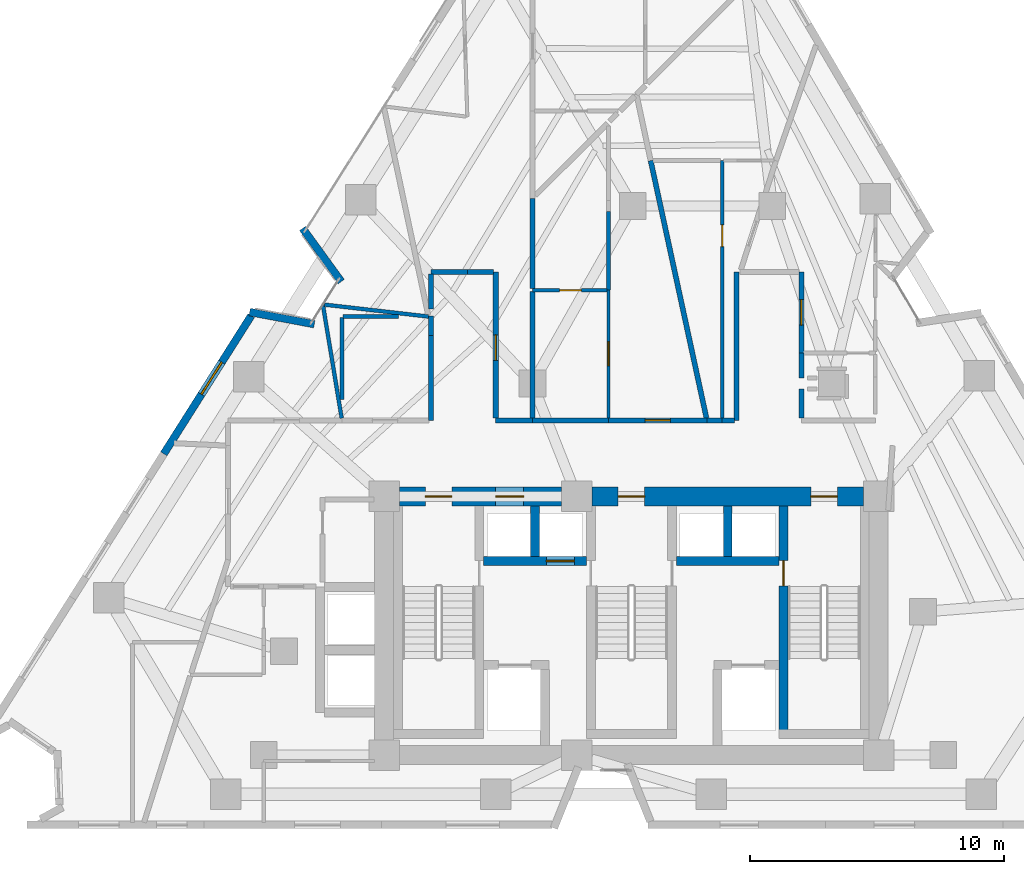
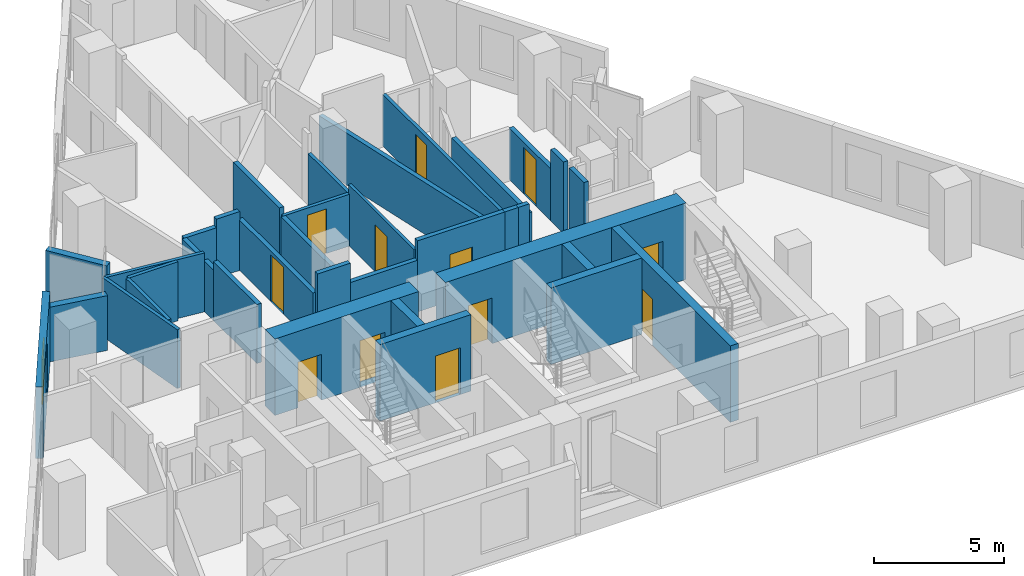
# One storey, part 7 of 12: 36 walls, 12 doors, 1 window, 13 openings.
"""IFC4 building model written with IfcOpenShell, lengths in metres."""

from ifc_helpers import new_model, si_unit, direction, frame, frame_2d, origin, place, context, subcontext, project, spatial, rectangle, extrude, material, layer, layer_set, type_object, element, fill, save


model = new_model("IFC4")

# Units and contexts
model_context = context("Model", 3, precision=1e-05, world=origin(), true_north=direction((0.0, 1.0)))
body_context = subcontext(model_context, "Body", "Model", "MODEL_VIEW")
ifc_project = project(units=[si_unit("LENGTHUNIT", "METRE"), si_unit("AREAUNIT", "SQUARE_METRE"), si_unit("VOLUMEUNIT", "CUBIC_METRE"), si_unit("PLANEANGLEUNIT", "RADIAN"), si_unit("MASSUNIT", "GRAM", prefix="KILO")], contexts=[model_context])

# Site, building, storey
site_placement = place(None, origin())
site = spatial("IfcSite", under=ifc_project, at=site_placement, CompositionType="ELEMENT")
building_placement = place(site_placement, origin())
building = spatial("IfcBuilding", under=site, at=building_placement, Name="Almagre Mirador Tower", CompositionType="ELEMENT")
storey_placement = place(building_placement, frame((0.0, 0.0, 117.60009765625)))
storey = spatial("IfcBuildingStorey", under=building, at=storey_placement, Name="L29", CompositionType="ELEMENT", Elevation=117.60009765625)

# Walls
ifc_material_1 = material(Name="Precast concrete C50/60", Category="concrete")
ifc_layer_1 = layer(ifc_material_1, 0.300048828125)
ifc_layer_set_1 = layer_set([ifc_layer_1], Name="Precast concrete C50/60")
wall_type_1 = type_object("IfcWallType", Name="WAL-EXT-300", PredefinedType="SOLIDWALL", material=ifc_layer_set_1)
for number, where, z_axis, x_axis, name in (
    (1, (22.246337890625, 22.02099609375, 0.0), (0.0, 0.0, 1.0), (0.982733402646, -0.185027185367, 0.0), "L29 expressed almagre precast frame wall 01"),
    (2, (25.8583984375, 23.2197265625, 0.0), (0.0, 0.0, 1.0), (-0.587763102288, 0.809033086832, 0.0), "L29 expressed almagre precast frame wall 02"),
):
    element("IfcWall", number, at=place(storey_placement, frame(where, z_axis=z_axis, x_axis=x_axis)), inside=storey, type_object=wall_type_1, Name=name, PredefinedType="SOLIDWALL", context=body_context, shape_type="SweptSolid", body=[
        extrude(rectangle(XDim=2.593994140625, YDim=0.300048828125, at=frame_2d((1.296875, 0.0))), origin(), (0.0, 0.0, 1.0), 2.574951171875),
    ])

# Wall, opening, window
wall_1_placement = place(storey_placement, frame((18.860595703125, 16.429443359375, 0.0), z_axis=(0.0, 0.0, 1.0), x_axis=(0.534891708764, 0.844920623429, 0.0)))
wall_1 = element("IfcWall", 3, at=wall_1_placement, inside=storey, type_object=wall_type_1, Name="L29 expressed almagre precast frame wall 35", PredefinedType="SOLIDWALL", context=body_context, shape_type="SweptSolid", body=[
    extrude(rectangle(XDim=6.447021484375, YDim=0.300048828125, at=frame_2d((3.2236328125, 0.0))), origin(), (0.0, 0.0, 1.0), 3.349853515625),
])
opening_1_placement = place(wall_1_placement, frame((2.77490234375, 0.0, 0.60009765625)))
opening_1 = element("IfcOpeningElement", 4, at=opening_1_placement, cuts=wall_1, Name="Opening WN-03", PredefinedType="OPENING", context=body_context, shape_type="SweptSolid", body=[
    extrude(rectangle(XDim=1.5, YDim=2.10009765625, at=frame_2d((0.75, 1.050048828125))), frame((0.0, 0.159902, 0.0), z_axis=(0.0, -1.0, 0.0), x_axis=(1.0, 0.0, 0.0)), (0.0, 0.0, 1.0), 0.320049),
])
ifc_material_2 = material(Name="Dark solar-control laminated hurricane glass", Category="glass")
window_type = type_object("IfcWindowType", Name="WIN-1500X2100", PartitioningType="DOUBLE_PANEL_VERTICAL", PredefinedType="WINDOW", material=ifc_material_2)
window_placement = place(opening_1_placement, origin())
window = element("IfcWindow", 5, at=window_placement, inside=storey, type_object=window_type, Name="L29 recessed hurricane window L29-UF-ST", OverallHeight=2.10009765625, OverallWidth=1.5, PartitioningType="SINGLE_PANEL", PredefinedType="WINDOW", context=body_context, shape_type="SweptSolid", body=[
    extrude(rectangle(XDim=1.5, YDim=2.10009765625, at=frame_2d((0.75, 1.050048828125))), frame((0.0, 0.030029296875, 0.0), z_axis=(0.0, -1.0, 0.0), x_axis=(1.0, 0.0, 0.0)), (0.0, 0.0, 1.0), 0.06005859375),
])
fill(opening_1, window)

# Wall, opening, door
ifc_material_3 = material(Name="Gypsum acoustic stud partition", Category="other")
ifc_layer_2 = layer(ifc_material_3, 0.125)
ifc_layer_set_2 = layer_set([ifc_layer_2], Name="Gypsum acoustic stud partition")
wall_type_2 = type_object("IfcWallType", Name="WAL-PRT-125-UTL", PredefinedType="PARTITIONING", material=ifc_layer_set_2)
wall_2_placement = place(storey_placement, frame((36.39990234375, 22.8798828125, 0.0), z_axis=(0.0, 0.0, 1.0), x_axis=(0.0, -1.0, 0.0)))
wall_2 = element("IfcWall", 6, at=wall_2_placement, inside=storey, type_object=wall_type_2, Name="L29 interior partition 059", PredefinedType="PARTITIONING", context=body_context, shape_type="SweptSolid", body=[
    extrude(rectangle(XDim=5.044921875, YDim=0.125, at=frame_2d((2.5224609375, 0.0))), origin(), (0.0, 0.0, 1.0), 2.852783203125),
])
opening_2_placement = place(wall_2_placement, frame((2.031005859375, 0.0, 0.0)))
opening_2 = element("IfcOpeningElement", 7, at=opening_2_placement, cuts=wall_2, Name="Opening UD-01", PredefinedType="OPENING", context=body_context, shape_type="SweptSolid", body=[
    extrude(rectangle(XDim=0.949951171875, YDim=2.199951171875, at=frame_2d((0.47509765625, 1.10009765625))), frame((0.0, 0.0725, 0.0), z_axis=(0.0, -1.0, 0.0), x_axis=(1.0, 0.0, 0.0)), (0.0, 0.0, 1.0), 0.145),
])
ifc_material_4 = material(Name="Solid American walnut timber", Category="wood")
door_type_1 = type_object("IfcDoorType", Name="DOR-UNR-950X2200", OperationType="NOTDEFINED", PredefinedType="DOOR", material=ifc_material_4)
door_1_placement = place(opening_2_placement, origin())
door_1 = element("IfcDoor", 8, at=door_1_placement, inside=storey, type_object=door_type_1, Name="DR-0955 L29 interior door L29-UG-ST to L29-UG-KT", OperationType="SINGLE_SWING_LEFT", OverallHeight=2.199951171875, OverallWidth=0.949951171875, PredefinedType="DOOR", context=body_context, shape_type="SweptSolid", body=[
    extrude(rectangle(XDim=0.949951171875, YDim=2.199951171875, at=frame_2d((0.47509765625, 1.10009765625))), frame((0.0, 0.02490234375, 0.0), z_axis=(0.0, -1.0, 0.0), x_axis=(1.0, 0.0, 0.0)), (0.0, 0.0, 1.0), 0.050048828125),
])
fill(opening_2, door_1)

# Walls
ifc_material_5 = material(Name="Gypsum acoustic stud partition", Category="other")
ifc_layer_3 = layer(ifc_material_5, 0.14990234375)
ifc_layer_set_3 = layer_set([ifc_layer_3], Name="Gypsum acoustic stud partition")
wall_type_3 = type_object("IfcWallType", Name="WAL-PRT-150-STD", PredefinedType="PARTITIONING", material=ifc_layer_set_3)
wall_3_placement = place(storey_placement, frame((25.876220703125, 17.833984375, 0.0), z_axis=(0.0, 0.0, 1.0), x_axis=(-0.163258044995, 0.986583402832, 0.0)))
element("IfcWall", 9, at=wall_3_placement, inside=storey, type_object=wall_type_3, Name="L29 interior partition 054", PredefinedType="PARTITIONING", context=body_context, shape_type="SweptSolid", body=[
    extrude(rectangle(XDim=4.546142578125, YDim=0.14990234375, at=frame_2d((2.27294921875, 0.0))), origin(), (0.0, 0.0, 1.0), 2.77099609375),
])
wall_4_placement = place(storey_placement, frame((29.300048828125, 21.840087890625, 0.0), z_axis=(0.0, 0.0, 1.0), x_axis=(-0.993461085134, 0.114171241234, 0.0)))
element("IfcWall", 10, at=wall_4_placement, inside=storey, type_object=wall_type_3, Name="L29 interior partition 055", PredefinedType="PARTITIONING", context=body_context, shape_type="SweptSolid", body=[
    extrude(rectangle(XDim=4.133544921875, YDim=0.14990234375, at=frame_2d((2.06689453125, 0.0))), origin(), (0.0, 0.0, 1.0), 2.77099609375),
])
wall_5_placement = place(storey_placement, frame((36.39990234375, 25.97998046875, 0.0), z_axis=(0.0, 0.0, 1.0), x_axis=(0.0, -1.0, 0.0)))
element("IfcWall", 11, at=wall_5_placement, inside=storey, type_object=wall_type_3, Name="L29 interior partition 057", PredefinedType="PARTITIONING", context=body_context, shape_type="SweptSolid", body=[
    extrude(rectangle(XDim=3.10009765625, YDim=0.14990234375, at=frame_2d((1.550048828125, 0.0))), origin(), (0.0, 0.0, 1.0), 2.435791015625),
])

# Wall, opening, door
wall_6_placement = place(storey_placement, frame((33.39990234375, 22.8798828125, 0.0), z_axis=(0.0, 0.0, 1.0), x_axis=(1.0, 0.0, 0.0)))
wall_6 = element("IfcWall", 12, at=wall_6_placement, inside=storey, type_object=wall_type_3, Name="L29 interior partition 064", PredefinedType="PARTITIONING", context=body_context, shape_type="SweptSolid", body=[
    extrude(rectangle(XDim=2.940185546875, YDim=0.14990234375, at=frame_2d((1.47021484375, 0.0))), origin(), (0.0, 0.0, 1.0), 2.435791015625),
])
opening_3_placement = place(wall_6_placement, frame((1.074951171875, 0.0, 0.0)))
opening_3 = element("IfcOpeningElement", 13, at=opening_3_placement, cuts=wall_6, Name="Opening UD-04", PredefinedType="OPENING", context=body_context, shape_type="SweptSolid", body=[
    extrude(rectangle(XDim=0.85009765625, YDim=2.10009765625, at=frame_2d((0.425048828125, 1.050048828125))), frame((0.0, 0.084951, 0.0), z_axis=(0.0, -1.0, 0.0), x_axis=(1.0, 0.0, 0.0)), (0.0, 0.0, 1.0), 0.169902),
])
ifc_material_6 = material(Name="Moisture-resistant oak timber", Category="wood")
door_type_2 = type_object("IfcDoorType", Name="DOR-UNR-850X2100", OperationType="NOTDEFINED", PredefinedType="DOOR", material=ifc_material_6)
door_2_placement = place(opening_3_placement, origin())
door_2 = element("IfcDoor", 14, at=door_2_placement, inside=storey, type_object=door_type_2, Name="DR-0956 L29 interior door L29-UG-BT to L29-UG-KT", OperationType="SINGLE_SWING_RIGHT", OverallHeight=2.10009765625, OverallWidth=0.85009765625, PredefinedType="DOOR", context=body_context, shape_type="SweptSolid", body=[
    extrude(rectangle(XDim=0.85009765625, YDim=2.10009765625, at=frame_2d((0.425048828125, 1.050048828125))), frame((0.0, 0.02490234375, 0.0), z_axis=(0.0, -1.0, 0.0), x_axis=(1.0, 0.0, 0.0)), (0.0, 0.0, 1.0), 0.050048828125),
])
fill(opening_3, door_2)

wall_7_placement = place(storey_placement, frame((40.8798828125, 27.989990234375, 0.0), z_axis=(0.0, 0.0, 1.0), x_axis=(0.0, -1.0, 0.0)))
wall_7 = element("IfcWall", 15, at=wall_7_placement, inside=storey, type_object=wall_type_3, Name="L29 interior partition 082", PredefinedType="PARTITIONING", context=body_context, shape_type="SweptSolid", body=[
    extrude(rectangle(XDim=10.155029296875, YDim=0.14990234375, at=frame_2d((5.07763671875, 0.0))), origin(), (0.0, 0.0, 1.0), 2.435791015625),
])
opening_4_placement = place(wall_7_placement, frame((2.537353515625, 0.0, 0.0)))
opening_4 = element("IfcOpeningElement", 16, at=opening_4_placement, cuts=wall_7, Name="Opening UD-04", PredefinedType="OPENING", context=body_context, shape_type="SweptSolid", body=[
    extrude(rectangle(XDim=0.85009765625, YDim=2.10009765625, at=frame_2d((0.425048828125, 1.050048828125))), frame((0.0, 0.084951, 0.0), z_axis=(0.0, -1.0, 0.0), x_axis=(1.0, 0.0, 0.0)), (0.0, 0.0, 1.0), 0.169902),
])
door_3_placement = place(opening_4_placement, origin())
door_3 = element("IfcDoor", 17, at=door_3_placement, inside=storey, type_object=door_type_2, Name="DR-0964 L29 interior door L29-UK-ST to L29-UK-BT", OperationType="SINGLE_SWING_LEFT", OverallHeight=2.10009765625, OverallWidth=0.85009765625, PredefinedType="DOOR", context=body_context, shape_type="SweptSolid", body=[
    extrude(rectangle(XDim=0.85009765625, YDim=2.10009765625, at=frame_2d((0.425048828125, 1.050048828125))), frame((0.0, 0.02490234375, 0.0), z_axis=(0.0, -1.0, 0.0), x_axis=(1.0, 0.0, 0.0)), (0.0, 0.0, 1.0), 0.050048828125),
])
fill(opening_4, door_3)

# Walls
wall_8_placement = place(storey_placement, frame((25.889892578125, 18.576904296875, 0.0), z_axis=(0.0, 0.0, 1.0), x_axis=(0.0, 1.0, 0.0)))
element("IfcWall", 18, at=wall_8_placement, inside=storey, type_object=wall_type_3, Name="L29 interior partition 094", PredefinedType="PARTITIONING", context=body_context, shape_type="SweptSolid", body=[
    extrude(rectangle(XDim=3.22314453125, YDim=0.14990234375, at=frame_2d((1.611572265625, 0.0))), origin(), (0.0, 0.0, 1.0), 2.77099609375),
])
wall_9_placement = place(storey_placement, frame((25.929931640625, 21.840087890625, 0.0), z_axis=(0.0, 0.0, 1.0), x_axis=(1.0, 0.0, 0.0)))
element("IfcWall", 19, at=wall_9_placement, inside=storey, type_object=wall_type_3, Name="L29 interior partition 095", PredefinedType="PARTITIONING", context=body_context, shape_type="SweptSolid", body=[
    extrude(rectangle(XDim=2.18798828125, YDim=0.14990234375, at=frame_2d((1.093994140625, 0.0))), origin(), (0.0, 0.0, 1.0), 2.77099609375),
])
ifc_material_7 = material(Name="Gypsum acoustic stud partition", Category="other")
ifc_layer_4 = layer(ifc_material_7, 0.199951171875)
ifc_layer_set_4 = layer_set([ifc_layer_4], Name="Gypsum acoustic stud partition")
wall_type_4 = type_object("IfcWallType", Name="WAL-PRT-200-EI60", PredefinedType="PARTITIONING", material=ifc_layer_set_4)
wall_10_placement = place(storey_placement, frame((29.39990234375, 21.10009765625, 0.0), z_axis=(0.0, 0.0, 1.0), x_axis=(0.0, -1.0, 0.0)))
element("IfcWall", 20, at=wall_10_placement, inside=storey, type_object=wall_type_4, Name="L29 interior partition 008", PredefinedType="PARTITIONING", context=body_context, shape_type="SweptSolid", body=[
    extrude(rectangle(XDim=3.35009765625, YDim=0.199951171875, at=frame_2d((1.675048828125, 0.0))), origin(), (0.0, 0.0, 1.0), 2.77099609375),
])

# Wall, opening, door
wall_11_placement = place(storey_placement, frame((40.280029296875, 17.75, 0.0), z_axis=(0.0, 0.0, 1.0), x_axis=(-1.0, 0.0, 0.0)))
wall_11 = element("IfcWall", 21, at=wall_11_placement, inside=storey, type_object=wall_type_4, Name="L29 interior partition 010", PredefinedType="PARTITIONING", context=body_context, shape_type="SweptSolid", body=[
    extrude(rectangle(XDim=3.880126953125, YDim=0.199951171875, at=frame_2d((1.93994140625, 0.0))), origin(), (0.0, 0.0, 1.0), 3.349853515625),
])
opening_5_placement = place(wall_11_placement, frame((1.43994140625, 0.0, 0.0)))
opening_5 = element("IfcOpeningElement", 22, at=opening_5_placement, cuts=wall_11, Name="Opening ID-01", PredefinedType="OPENING", context=body_context, shape_type="SweptSolid", body=[
    extrude(rectangle(XDim=1.0, YDim=2.199951171875, at=frame_2d((0.5, 1.10009765625))), frame((0.0, 0.110098, 0.0), z_axis=(0.0, -1.0, 0.0), x_axis=(1.0, 0.0, 0.0)), (0.0, 0.0, 1.0), 0.219951),
])
ifc_material_8 = material(Name="Fire-rated walnut timber", Category="wood")
door_type_3 = type_object("IfcDoorType", Name="DOR-FD60-1000X2200", OperationType="NOTDEFINED", PredefinedType="DOOR", material=ifc_material_8)
door_4_placement = place(opening_5_placement, origin())
door_4 = element("IfcDoor", 23, at=door_4_placement, inside=storey, type_object=door_type_3, Name="DR-0954 L29 interior door L29-RCOR to L29-UG-ST", OperationType="SINGLE_SWING_RIGHT", OverallHeight=2.199951171875, OverallWidth=1.0, PredefinedType="DOOR", context=body_context, shape_type="SweptSolid", body=[
    extrude(rectangle(XDim=1.0, YDim=2.199951171875, at=frame_2d((0.5, 1.10009765625))), frame((0.0, 0.02490234375, 0.0), z_axis=(0.0, -1.0, 0.0), x_axis=(1.0, 0.0, 0.0)), (0.0, 0.0, 1.0), 0.050048828125),
])
fill(opening_5, door_4)

# Wall
wall_12_placement = place(storey_placement, frame((36.39990234375, 17.75, 0.0), z_axis=(0.0, 0.0, 1.0), x_axis=(-1.0, 0.0, 0.0)))
element("IfcWall", 24, at=wall_12_placement, inside=storey, type_object=wall_type_4, Name="L29 interior partition 011", PredefinedType="PARTITIONING", context=body_context, shape_type="SweptSolid", body=[
    extrude(rectangle(XDim=3.0, YDim=0.199951171875, at=frame_2d((1.5, 0.0))), origin(), (0.0, 0.0, 1.0), 2.435791015625),
])

# Wall, opening, door
wall_13_placement = place(storey_placement, frame((44.0, 20.409912109375, 0.0), z_axis=(0.0, 0.0, 1.0), x_axis=(0.0, 1.0, 0.0)))
wall_13 = element("IfcWall", 25, at=wall_13_placement, inside=storey, type_object=wall_type_4, Name="L29 interior partition 012", PredefinedType="PARTITIONING", context=body_context, shape_type="SweptSolid", body=[
    extrude(rectangle(XDim=3.190185546875, YDim=0.199951171875, at=frame_2d((1.59521484375, 0.0))), origin(), (0.0, 0.0, 1.0), 2.435791015625),
])
opening_6_placement = place(wall_13_placement, frame((1.094970703125, 0.0, 0.0)))
opening_6 = element("IfcOpeningElement", 26, at=opening_6_placement, cuts=wall_13, Name="Opening ID-01", PredefinedType="OPENING", context=body_context, shape_type="SweptSolid", body=[
    extrude(rectangle(XDim=1.0, YDim=2.199951171875, at=frame_2d((0.5, 1.10009765625))), frame((0.0, 0.110098, 0.0), z_axis=(0.0, -1.0, 0.0), x_axis=(1.0, 0.0, 0.0)), (0.0, 0.0, 1.0), 0.219951),
])
door_5_placement = place(opening_6_placement, origin())
door_5 = element("IfcDoor", 27, at=door_5_placement, inside=storey, type_object=door_type_3, Name="DR-0957 L29 interior door L29-RCOR to L29-UH-LV", OperationType="SINGLE_SWING_LEFT", OverallHeight=2.199951171875, OverallWidth=1.0, PredefinedType="DOOR", context=body_context, shape_type="SweptSolid", body=[
    extrude(rectangle(XDim=1.0, YDim=2.199951171875, at=frame_2d((0.5, 1.10009765625))), frame((0.0, 0.02490234375, 0.0), z_axis=(0.0, -1.0, 0.0), x_axis=(1.0, 0.0, 0.0)), (0.0, 0.0, 1.0), 0.050048828125),
])
fill(opening_6, door_5)

# Walls
wall_14_placement = place(storey_placement, frame((44.0, 17.8349609375, 0.0), z_axis=(0.0, 0.0, 1.0), x_axis=(0.0, 1.0, 0.0)))
element("IfcWall", 28, at=wall_14_placement, inside=storey, type_object=wall_type_4, Name="L29 interior partition 015", PredefinedType="PARTITIONING", context=body_context, shape_type="SweptSolid", body=[
    extrude(rectangle(XDim=1.14501953125, YDim=0.199951171875, at=frame_2d((0.572509765625, 0.0))), origin(), (0.0, 0.0, 1.0), 3.349853515625),
])
wall_15_placement = place(storey_placement, frame((44.0, 19.419921875, 0.0), z_axis=(0.0, 0.0, 1.0), x_axis=(0.0, 1.0, 0.0)))
element("IfcWall", 29, at=wall_15_placement, inside=storey, type_object=wall_type_4, Name="L29 interior partition 016", PredefinedType="PARTITIONING", context=body_context, shape_type="SweptSolid", body=[
    extrude(rectangle(XDim=0.989990234375, YDim=0.199951171875, at=frame_2d((0.4951171875, 0.0))), origin(), (0.0, 0.0, 1.0), 3.349853515625),
])
wall_16_placement = place(storey_placement, frame((33.39990234375, 17.75, 0.0), z_axis=(0.0, 0.0, 1.0), x_axis=(-1.0, 0.0, 0.0)))
element("IfcWall", 30, at=wall_16_placement, inside=storey, type_object=wall_type_4, Name="L29 interior partition 017", PredefinedType="PARTITIONING", context=body_context, shape_type="SweptSolid", body=[
    extrude(rectangle(XDim=1.449951171875, YDim=0.199951171875, at=frame_2d((0.72509765625, 0.0))), origin(), (0.0, 0.0, 1.0), 3.349853515625),
])

# Wall, opening, door
wall_17_placement = place(storey_placement, frame((31.949951171875, 17.8349609375, 0.0), z_axis=(0.0, 0.0, 1.0), x_axis=(0.0, 1.0, 0.0)))
wall_17 = element("IfcWall", 31, at=wall_17_placement, inside=storey, type_object=wall_type_4, Name="L29 interior partition 018", PredefinedType="PARTITIONING", context=body_context, shape_type="SweptSolid", body=[
    extrude(rectangle(XDim=5.76513671875, YDim=0.199951171875, at=frame_2d((2.882568359375, 0.0))), origin(), (0.0, 0.0, 1.0), 2.371826171875),
])
opening_7_placement = place(wall_17_placement, frame((2.281494140625, 0.0, 0.0)))
opening_7 = element("IfcOpeningElement", 32, at=opening_7_placement, cuts=wall_17, Name="Opening ID-01", PredefinedType="OPENING", context=body_context, shape_type="SweptSolid", body=[
    extrude(rectangle(XDim=1.0, YDim=2.199951171875, at=frame_2d((0.5, 1.10009765625))), frame((0.0, 0.110098, 0.0), z_axis=(0.0, -1.0, 0.0), x_axis=(1.0, 0.0, 0.0)), (0.0, 0.0, 1.0), 0.219951),
])
door_6_placement = place(opening_7_placement, origin())
door_6 = element("IfcDoor", 33, at=door_6_placement, inside=storey, type_object=door_type_3, Name="DR-0961 L29 interior door L29-RCOR to L29-UJ-LV", OperationType="SINGLE_SWING_LEFT", OverallHeight=2.199951171875, OverallWidth=1.0, PredefinedType="DOOR", context=body_context, shape_type="SweptSolid", body=[
    extrude(rectangle(XDim=1.0, YDim=2.199951171875, at=frame_2d((0.5, 1.10009765625))), frame((0.0, 0.02490234375, 0.0), z_axis=(0.0, -1.0, 0.0), x_axis=(1.0, 0.0, 0.0)), (0.0, 0.0, 1.0), 0.050048828125),
])
fill(opening_7, door_6)

# Walls
wall_18_placement = place(storey_placement, frame((31.864990234375, 23.60009765625, 0.0), z_axis=(0.0, 0.0, 1.0), x_axis=(-1.0, 0.0, 0.0)))
element("IfcWall", 34, at=wall_18_placement, inside=storey, type_object=wall_type_4, Name="L29 interior partition 019", PredefinedType="PARTITIONING", context=body_context, shape_type="SweptSolid", body=[
    extrude(rectangle(XDim=1.034912109375, YDim=0.199951171875, at=frame_2d((0.517578125, 0.0))), origin(), (0.0, 0.0, 1.0), 2.77099609375),
])
wall_19_placement = place(storey_placement, frame((30.830078125, 23.60009765625, 0.0), z_axis=(0.0, 0.0, 1.0), x_axis=(-1.0, 0.0, 0.0)))
element("IfcWall", 35, at=wall_19_placement, inside=storey, type_object=wall_type_4, Name="L29 interior partition 020", PredefinedType="PARTITIONING", context=body_context, shape_type="SweptSolid", body=[
    extrude(rectangle(XDim=1.43017578125, YDim=0.199951171875, at=frame_2d((0.715087890625, 0.0))), origin(), (0.0, 0.0, 1.0), 2.371826171875),
])
wall_20_placement = place(storey_placement, frame((29.39990234375, 23.514892578125, 0.0), z_axis=(0.0, 0.0, 1.0), x_axis=(0.0, -1.0, 0.0)))
element("IfcWall", 36, at=wall_20_placement, inside=storey, type_object=wall_type_4, Name="L29 interior partition 021", PredefinedType="PARTITIONING", context=body_context, shape_type="SweptSolid", body=[
    extrude(rectangle(XDim=1.376953125, YDim=0.199951171875, at=frame_2d((0.6884765625, 0.0))), origin(), (0.0, 0.0, 1.0), 2.371826171875),
])
wall_21_placement = place(storey_placement, frame((41.449951171875, 23.60009765625, 0.0), z_axis=(0.0, 0.0, 1.0), x_axis=(0.0, -1.0, 0.0)))
element("IfcWall", 37, at=wall_21_placement, inside=storey, type_object=wall_type_4, Name="L29 interior partition 022", PredefinedType="PARTITIONING", context=body_context, shape_type="SweptSolid", body=[
    extrude(rectangle(XDim=5.85009765625, YDim=0.199951171875, at=frame_2d((2.925048828125, 0.0))), origin(), (0.0, 0.0, 1.0), 2.852783203125),
])
wall_22_placement = place(storey_placement, frame((41.364990234375, 17.75, 0.0), z_axis=(0.0, 0.0, 1.0), x_axis=(-1.0, 0.0, 0.0)))
element("IfcWall", 38, at=wall_22_placement, inside=storey, type_object=wall_type_4, Name="L29 interior partition 023", PredefinedType="PARTITIONING", context=body_context, shape_type="SweptSolid", body=[
    extrude(rectangle(XDim=0.485107421875, YDim=0.199951171875, at=frame_2d((0.24267578125, 0.0))), origin(), (0.0, 0.0, 1.0), 3.349853515625),
])
wall_23_placement = place(storey_placement, frame((40.8798828125, 17.75, 0.0), z_axis=(0.0, 0.0, 1.0), x_axis=(-1.0, 0.0, 0.0)))
element("IfcWall", 39, at=wall_23_placement, inside=storey, type_object=wall_type_4, Name="L29 interior partition 024", PredefinedType="PARTITIONING", context=body_context, shape_type="SweptSolid", body=[
    extrude(rectangle(XDim=0.599853515625, YDim=0.199951171875, at=frame_2d((0.2998046875, 0.0))), origin(), (0.0, 0.0, 1.0), 3.349853515625),
])
wall_24_placement = place(storey_placement, frame((40.261962890625, 17.8330078125, 0.0), z_axis=(0.0, 0.0, 1.0), x_axis=(-0.211865908249, 0.977298744971, 0.0)))
element("IfcWall", 40, at=wall_24_placement, inside=storey, type_object=wall_type_4, Name="L29 interior partition 060", PredefinedType="PARTITIONING", context=body_context, shape_type="SweptSolid", body=[
    extrude(rectangle(XDim=10.392822265625, YDim=0.199951171875, at=frame_2d((5.1962890625, 0.0))), origin(), (0.0, 0.0, 1.0), 2.435791015625),
])
wall_25_placement = place(storey_placement, frame((33.39990234375, 26.5, 0.0), z_axis=(0.0, 0.0, 1.0), x_axis=(0.0, -1.0, 0.0)))
element("IfcWall", 41, at=wall_25_placement, inside=storey, type_object=wall_type_4, Name="L29 interior partition 065", PredefinedType="PARTITIONING", context=body_context, shape_type="SweptSolid", body=[
    extrude(rectangle(XDim=3.56005859375, YDim=0.199951171875, at=frame_2d((1.780029296875, 0.0))), origin(), (0.0, 0.0, 1.0), 2.77099609375),
])
wall_26_placement = place(storey_placement, frame((33.39990234375, 22.820068359375, 0.0), z_axis=(0.0, 0.0, 1.0), x_axis=(0.0, -1.0, 0.0)))
element("IfcWall", 42, at=wall_26_placement, inside=storey, type_object=wall_type_4, Name="L29 interior partition 067", PredefinedType="PARTITIONING", context=body_context, shape_type="SweptSolid", body=[
    extrude(rectangle(XDim=4.985107421875, YDim=0.199951171875, at=frame_2d((2.49267578125, 0.0))), origin(), (0.0, 0.0, 1.0), 2.435791015625),
])
wall_27_placement = place(storey_placement, frame((29.39990234375, 21.861083984375, 0.0), z_axis=(0.0, 0.0, 1.0), x_axis=(0.0, -1.0, 0.0)))
element("IfcWall", 43, at=wall_27_placement, inside=storey, type_object=wall_type_4, Name="L29 interior partition 111", PredefinedType="PARTITIONING", context=body_context, shape_type="SweptSolid", body=[
    extrude(rectangle(XDim=0.760986328125, YDim=0.199951171875, at=frame_2d((0.38037109375, 0.0))), origin(), (0.0, 0.0, 1.0), 2.371826171875),
])

# Wall, opening, door
ifc_material_9 = material(Name="Concrete C60/75", Category="concrete")
ifc_layer_5 = layer(ifc_material_9, 0.35009765625)
ifc_layer_set_5 = layer_set([ifc_layer_5], Name="Concrete C60/75")
wall_type_5 = type_object("IfcWallType", Name="WAL-SHF-350", PredefinedType="SOLIDWALL", material=ifc_layer_set_5)
wall_28_placement = place(storey_placement, frame((43.300048828125, 5.199951171875, 0.0), z_axis=(0.0, 0.0, 1.0), x_axis=(0.0, 1.0, 0.0)))
wall_28 = element("IfcWall", 44, at=wall_28_placement, inside=storey, type_object=wall_type_5, Name="L29 shaft wall ST3-W", PredefinedType="SOLIDWALL", context=body_context, shape_type="SweptSolid", body=[
    extrude(rectangle(XDim=9.175048828125, YDim=0.35009765625, at=frame_2d((4.58740234375, 0.0))), origin(), (0.0, 0.0, 1.0), 3.599853515625),
])
opening_8_placement = place(wall_28_placement, frame((6.02001953125, 0.0, 0.0)))
opening_8 = element("IfcOpeningElement", 45, at=opening_8_placement, cuts=wall_28, Name="Opening FD-01", PredefinedType="OPENING", context=body_context, shape_type="SweptSolid", body=[
    extrude(rectangle(XDim=1.0, YDim=2.14990234375, at=frame_2d((0.5, 1.074951171875))), frame((0.0, 0.185049, 0.0), z_axis=(0.0, -1.0, 0.0), x_axis=(1.0, 0.0, 0.0)), (0.0, 0.0, 1.0), 0.370098),
])
ifc_material_10 = material(Name="Fire-rated hollow steel", Category="steel")
door_type_4 = type_object("IfcDoorType", Name="DOR-FFL-1000X2150", OperationType="NOTDEFINED", PredefinedType="DOOR", material=ifc_material_10)
door_7_placement = place(opening_8_placement, origin())
door_7 = element("IfcDoor", 46, at=door_7_placement, inside=storey, type_object=door_type_4, Name="DR-0948 L29 FFL2-ST3 smokeproof door", OperationType="SINGLE_SWING_RIGHT", OverallHeight=2.14990234375, OverallWidth=1.0, PredefinedType="DOOR", context=body_context, shape_type="SweptSolid", body=[
    extrude(rectangle(XDim=1.0, YDim=2.14990234375, at=frame_2d((0.5, 1.074951171875))), frame((0.0, 0.02490234375, 0.0), z_axis=(0.0, -1.0, 0.0), x_axis=(1.0, 0.0, 0.0)), (0.0, 0.0, 1.0), 0.050048828125),
])
fill(opening_8, door_7)

wall_29_placement = place(storey_placement, frame((31.47509765625, 12.199951171875, 0.0), z_axis=(0.0, 0.0, 1.0), x_axis=(1.0, 0.0, 0.0)))
wall_29 = element("IfcWall", 47, at=wall_29_placement, inside=storey, type_object=wall_type_5, Name="L29 shaft wall PLM-S", PredefinedType="SOLIDWALL", context=body_context, shape_type="SweptSolid", body=[
    extrude(rectangle(XDim=4.0498046875, YDim=0.35009765625, at=frame_2d((2.02490234375, 0.0))), origin(), (0.0, 0.0, 1.0), 3.599853515625),
])
opening_9_placement = place(wall_29_placement, frame((2.47509765625, 0.0, 0.0)))
opening_9 = element("IfcOpeningElement", 48, at=opening_9_placement, cuts=wall_29, Name="Opening LD-01", PredefinedType="OPENING", context=body_context, shape_type="SweptSolid", body=[
    extrude(rectangle(XDim=1.10009765625, YDim=2.199951171875, at=frame_2d((0.550048828125, 1.10009765625))), frame((0.0, 0.185049, 0.0), z_axis=(0.0, -1.0, 0.0), x_axis=(1.0, 0.0, 0.0)), (0.0, 0.0, 1.0), 0.370098),
])
ifc_material_11 = material(Name="Hollow stainless steel", Category="steel")
door_type_5 = type_object("IfcDoorType", Name="DOR-LD-1100X2200", OperationType="DOUBLE_DOOR_SLIDING", PredefinedType="DOOR", material=ifc_material_11)
door_8_placement = place(opening_9_placement, origin())
door_8 = element("IfcDoor", 49, at=door_8_placement, inside=storey, type_object=door_type_5, Name="DR-0977 L29 PL-M2 lift landing door", OperationType="DOUBLE_DOOR_SLIDING", OverallHeight=2.199951171875, OverallWidth=1.10009765625, PredefinedType="DOOR", context=body_context, shape_type="SweptSolid", body=[
    extrude(rectangle(XDim=1.10009765625, YDim=2.199951171875, at=frame_2d((0.550048828125, 1.10009765625))), frame((0.0, 0.02490234375, 0.0), z_axis=(0.0, -1.0, 0.0), x_axis=(1.0, 0.0, 0.0)), (0.0, 0.0, 1.0), 0.050048828125),
])
fill(opening_9, door_8)

# Walls
wall_30_placement = place(storey_placement, frame((33.5, 12.375, 0.0), z_axis=(0.0, 0.0, 1.0), x_axis=(0.0, 1.0, 0.0)))
element("IfcWall", 50, at=wall_30_placement, inside=storey, type_object=wall_type_5, Name="L29 shaft wall PLM-M", PredefinedType="SOLIDWALL", context=body_context, shape_type="SweptSolid", body=[
    extrude(rectangle(XDim=2.0, YDim=0.35009765625, at=frame_2d((1.0, 0.0))), origin(), (0.0, 0.0, 1.0), 3.599853515625),
])
wall_31_placement = place(storey_placement, frame((39.074951171875, 12.199951171875, 0.0), z_axis=(0.0, 0.0, 1.0), x_axis=(1.0, 0.0, 0.0)))
element("IfcWall", 51, at=wall_31_placement, inside=storey, type_object=wall_type_5, Name="L29 shaft wall PLH-S", PredefinedType="SOLIDWALL", context=body_context, shape_type="SweptSolid", body=[
    extrude(rectangle(XDim=4.050048828125, YDim=0.35009765625, at=frame_2d((2.02490234375, 0.0))), origin(), (0.0, 0.0, 1.0), 3.599853515625),
])
wall_32_placement = place(storey_placement, frame((41.10009765625, 12.375, 0.0), z_axis=(0.0, 0.0, 1.0), x_axis=(0.0, 1.0, 0.0)))
element("IfcWall", 52, at=wall_32_placement, inside=storey, type_object=wall_type_5, Name="L29 shaft wall PLH-M", PredefinedType="SOLIDWALL", context=body_context, shape_type="SweptSolid", body=[
    extrude(rectangle(XDim=2.0, YDim=0.35009765625, at=frame_2d((1.0, 0.0))), origin(), (0.0, 0.0, 1.0), 3.599853515625),
])

# Wall, openings, doors
ifc_material_12 = material(Name="Concrete C60/75", Category="concrete")
ifc_layer_6 = layer(ifc_material_12, 0.75)
ifc_layer_set_6 = layer_set([ifc_layer_6], Name="Concrete C60/75")
wall_type_6 = type_object("IfcWallType", Name="WAL-SHR-750", PredefinedType="SHEAR", material=ifc_layer_set_6)
wall_33_placement = place(storey_placement, frame((28.14990234375, 14.75, 0.0), z_axis=(0.0, 0.0, 1.0), x_axis=(1.0, 0.0, 0.0)))
wall_33 = element("IfcWall", 53, at=wall_33_placement, inside=storey, type_object=wall_type_6, Name="L29 core shear wall N1", PredefinedType="SHEAR", context=body_context, shape_type="SweptSolid", body=[
    extrude(rectangle(XDim=6.400146484375, YDim=0.75, at=frame_2d((3.2001953125, 0.0))), origin(), (0.0, 0.0, 1.0), 3.599853515625),
])
opening_10_placement = place(wall_33_placement, frame((1.02490234375, 0.0, 0.0)))
opening_10 = element("IfcOpeningElement", 54, at=opening_10_placement, cuts=wall_33, Name="Opening SD-01", PredefinedType="OPENING", context=body_context, shape_type="SweptSolid", body=[
    extrude(rectangle(XDim=1.050048828125, YDim=2.14990234375, at=frame_2d((0.52490234375, 1.074951171875))), frame((0.0, 0.385, 0.0), z_axis=(0.0, -1.0, 0.0), x_axis=(1.0, 0.0, 0.0)), (0.0, 0.0, 1.0), 0.77),
])
opening_11_placement = place(wall_33_placement, frame((3.800048828125, 0.0, 0.0)))
opening_11 = element("IfcOpeningElement", 55, at=opening_11_placement, cuts=wall_33, Name="Opening LD-01", PredefinedType="OPENING", context=body_context, shape_type="SweptSolid", body=[
    extrude(rectangle(XDim=1.10009765625, YDim=2.199951171875, at=frame_2d((0.550048828125, 1.10009765625))), frame((0.0, 0.385, 0.0), z_axis=(0.0, -1.0, 0.0), x_axis=(1.0, 0.0, 0.0)), (0.0, 0.0, 1.0), 0.77),
])
door_9_placement = place(opening_11_placement, origin())
door_9 = element("IfcDoor", 56, at=door_9_placement, inside=storey, type_object=door_type_5, Name="DR-0976 L29 PL-M1 lift landing door", OperationType="DOUBLE_DOOR_SLIDING", OverallHeight=2.199951171875, OverallWidth=1.10009765625, PredefinedType="DOOR", context=body_context, shape_type="SweptSolid", body=[
    extrude(rectangle(XDim=1.10009765625, YDim=2.199951171875, at=frame_2d((0.550048828125, 1.10009765625))), frame((0.0, 0.02490234375, 0.0), z_axis=(0.0, -1.0, 0.0), x_axis=(1.0, 0.0, 0.0)), (0.0, 0.0, 1.0), 0.050048828125),
])
fill(opening_11, door_9)
ifc_material_13 = material(Name="Fire-rated hollow steel", Category="steel")
door_type_6 = type_object("IfcDoorType", Name="DOR-ST-1050X2150", OperationType="NOTDEFINED", PredefinedType="DOOR", material=ifc_material_13)
door_10_placement = place(opening_10_placement, origin())
door_10 = element("IfcDoor", 57, at=door_10_placement, inside=storey, type_object=door_type_6, Name="DR-0978 L29 protected exit stair ST-1 door", OperationType="SINGLE_SWING_RIGHT", OverallHeight=2.14990234375, OverallWidth=1.050048828125, PredefinedType="DOOR", context=body_context, shape_type="SweptSolid", body=[
    extrude(rectangle(XDim=1.050048828125, YDim=2.14990234375, at=frame_2d((0.52490234375, 1.074951171875))), frame((0.0, 0.02490234375, 0.0), z_axis=(0.0, -1.0, 0.0), x_axis=(1.0, 0.0, 0.0)), (0.0, 0.0, 1.0), 0.050048828125),
])
fill(opening_10, door_10)

wall_34_placement = place(storey_placement, frame((35.75, 14.75, 0.0), z_axis=(0.0, 0.0, 1.0), x_axis=(1.0, 0.0, 0.0)))
wall_34 = element("IfcWall", 58, at=wall_34_placement, inside=storey, type_object=wall_type_6, Name="L29 core shear wall N2", PredefinedType="SHEAR", context=body_context, shape_type="SweptSolid", body=[
    extrude(rectangle(XDim=10.699951171875, YDim=0.75, at=frame_2d((5.35009765625, 0.0))), origin(), (0.0, 0.0, 1.0), 3.599853515625),
])
opening_12_placement = place(wall_34_placement, frame((1.02490234375, 0.0, 0.0)))
opening_12 = element("IfcOpeningElement", 59, at=opening_12_placement, cuts=wall_34, Name="Opening SD-01", PredefinedType="OPENING", context=body_context, shape_type="SweptSolid", body=[
    extrude(rectangle(XDim=1.050048828125, YDim=2.14990234375, at=frame_2d((0.52490234375, 1.074951171875))), frame((0.0, 0.385, 0.0), z_axis=(0.0, -1.0, 0.0), x_axis=(1.0, 0.0, 0.0)), (0.0, 0.0, 1.0), 0.77),
])
opening_13_placement = place(wall_34_placement, frame((8.625, 0.0, 0.0)))
opening_13 = element("IfcOpeningElement", 60, at=opening_13_placement, cuts=wall_34, Name="Opening SD-01", PredefinedType="OPENING", context=body_context, shape_type="SweptSolid", body=[
    extrude(rectangle(XDim=1.050048828125, YDim=2.14990234375, at=frame_2d((0.52490234375, 1.074951171875))), frame((0.0, 0.385, 0.0), z_axis=(0.0, -1.0, 0.0), x_axis=(1.0, 0.0, 0.0)), (0.0, 0.0, 1.0), 0.77),
])
door_11_placement = place(opening_12_placement, origin())
door_11 = element("IfcDoor", 61, at=door_11_placement, inside=storey, type_object=door_type_6, Name="DR-0979 L29 protected exit stair ST-2 door", OperationType="SINGLE_SWING_RIGHT", OverallHeight=2.14990234375, OverallWidth=1.050048828125, PredefinedType="DOOR", context=body_context, shape_type="SweptSolid", body=[
    extrude(rectangle(XDim=1.050048828125, YDim=2.14990234375, at=frame_2d((0.52490234375, 1.074951171875))), frame((0.0, 0.02490234375, 0.0), z_axis=(0.0, -1.0, 0.0), x_axis=(1.0, 0.0, 0.0)), (0.0, 0.0, 1.0), 0.050048828125),
])
fill(opening_12, door_11)
door_12_placement = place(opening_13_placement, origin())
door_12 = element("IfcDoor", 62, at=door_12_placement, inside=storey, type_object=door_type_6, Name="DR-0980 L29 protected exit stair ST-3 door", OperationType="SINGLE_SWING_LEFT", OverallHeight=2.14990234375, OverallWidth=1.050048828125, PredefinedType="DOOR", context=body_context, shape_type="SweptSolid", body=[
    extrude(rectangle(XDim=1.050048828125, YDim=2.14990234375, at=frame_2d((0.52490234375, 1.074951171875))), frame((0.0, 0.02490234375, 0.0), z_axis=(0.0, -1.0, 0.0), x_axis=(1.0, 0.0, 0.0)), (0.0, 0.0, 1.0), 0.050048828125),
])
fill(opening_13, door_12)

save(model, "model.ifc")
